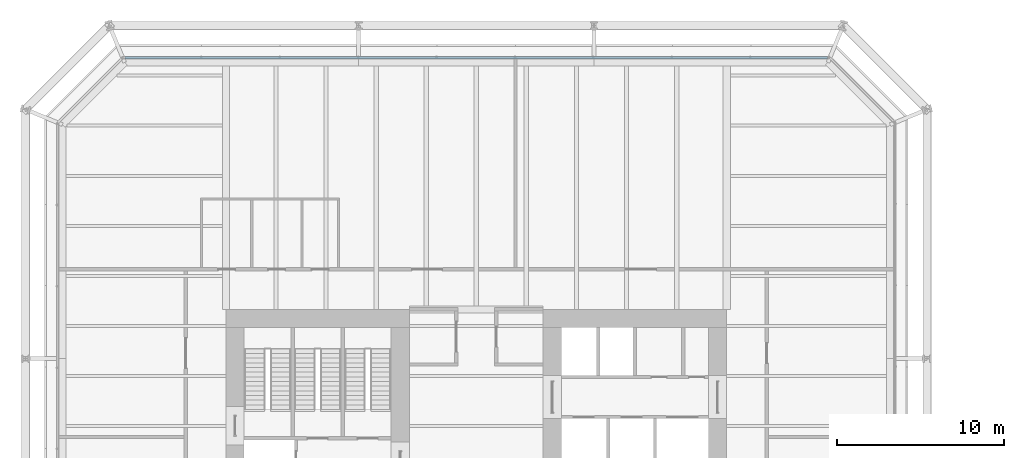
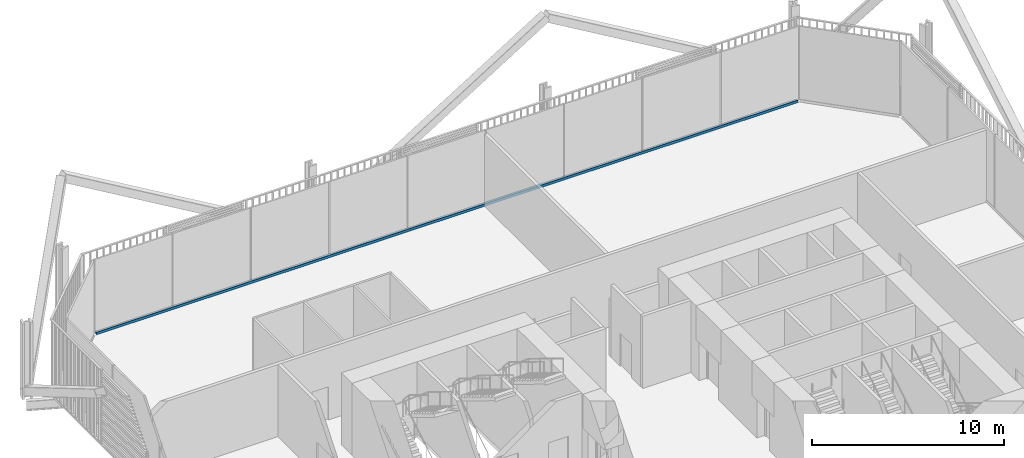
# One storey, part 13 of 26: 1 member, 1 element without a shape of its own.
"""IFC4 building model written with IfcOpenShell, lengths in metres."""

from ifc_helpers import new_model, si_unit, direction, frame, origin, origin_2d, place, context, subcontext, project, spatial, rectangle, extrude, material, layer, layer_set, material_profile, profile_set, type_object, element, aggregate, save


model = new_model("IFC4")

# Units and contexts
model_context = context("Model", 3, precision=1e-05, world=origin(), true_north=direction((0.0, 1.0)))
body_context = subcontext(model_context, "Body", "Model", "MODEL_VIEW")
ifc_project = project(units=[si_unit("LENGTHUNIT", "METRE"), si_unit("AREAUNIT", "SQUARE_METRE"), si_unit("VOLUMEUNIT", "CUBIC_METRE"), si_unit("PLANEANGLEUNIT", "RADIAN"), si_unit("MASSUNIT", "GRAM", prefix="KILO")], contexts=[model_context])

# Site, building, storey
site_placement = place(None, origin())
site = spatial("IfcSite", under=ifc_project, at=site_placement, CompositionType="ELEMENT")
building_placement = place(site_placement, origin())
building = spatial("IfcBuilding", under=site, at=building_placement, Name="Millrace Tower", CompositionType="ELEMENT")
storey_placement = place(building_placement, frame((0.0, 0.0, 11.300048828125)))
storey = spatial("IfcBuildingStorey", under=building, at=storey_placement, Name="L03", CompositionType="ELEMENT", Elevation=11.300048828125)

# Curtain wall, member
ifc_material_1 = material(Name="Aluminium and glass", Category="aluminium")
ifc_layer = layer(ifc_material_1, 0.14990234375)
ifc_layer_set = layer_set([ifc_layer], Name="Aluminium and glass")
curtain_wall_type = type_object("IfcCurtainWallType", Name="CW-2 data hall insulated curtain wall", PredefinedType="NOTDEFINED", material=ifc_layer_set)
curtain_wall_placement = place(storey_placement, origin())
curtain_wall = element("IfcCurtainWall", 1, at=curtain_wall_placement, inside=storey, type_object=curtain_wall_type, Name="Curtain wall AW3-F04 L03", PredefinedType="NOTDEFINED")
ifc_material_2 = material(Name="Aluminium", Category="aluminium")
ifc_material_profile = material_profile(ifc_material_2, rectangle(XDim=0.14990234375, YDim=0.159912109375, at=origin_2d()))
ifc_profile_set = profile_set([ifc_material_profile], Name="Aluminium")
member_type = type_object("IfcMemberType", Name="CW-2 data hall insulated curtain wall transom", PredefinedType="USERDEFINED", material=ifc_profile_set)
member_placement = place(storey_placement, frame((21.050048828125, 25.074951171875, 0.079833984375), z_axis=(-1.0, 0.0, 0.0), x_axis=(0.0, -1.0, 0.0)))
member = element("IfcMember", 2, at=member_placement, type_object=member_type, Name="CW2 transom AW3-F04.1", ObjectType="TRANSOM", PredefinedType="USERDEFINED", context=body_context, shape_type="SweptSolid", body=[
    extrude(rectangle(XDim=0.14990234375, YDim=0.159912109375, at=origin_2d()), origin(), (0.0, 0.0, 1.0), 42.10009765625),
])
aggregate(curtain_wall, [member])

save(model, "model.ifc")
